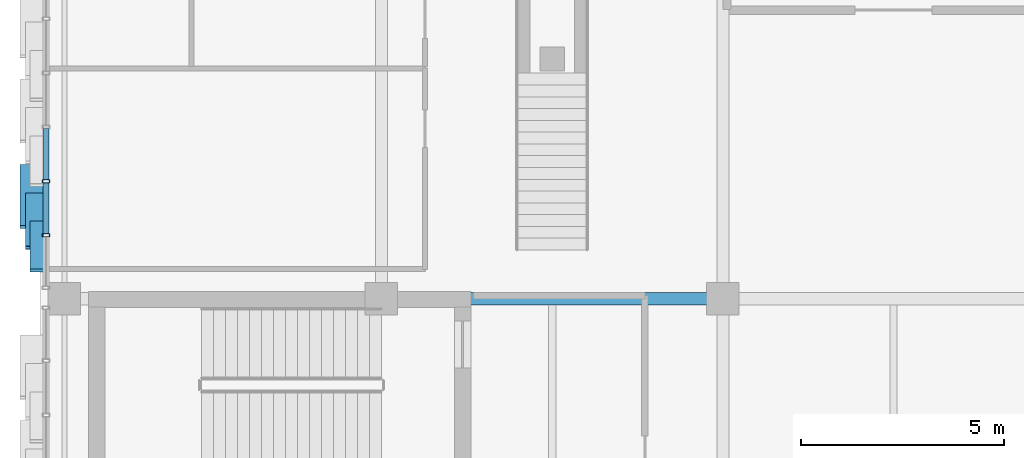
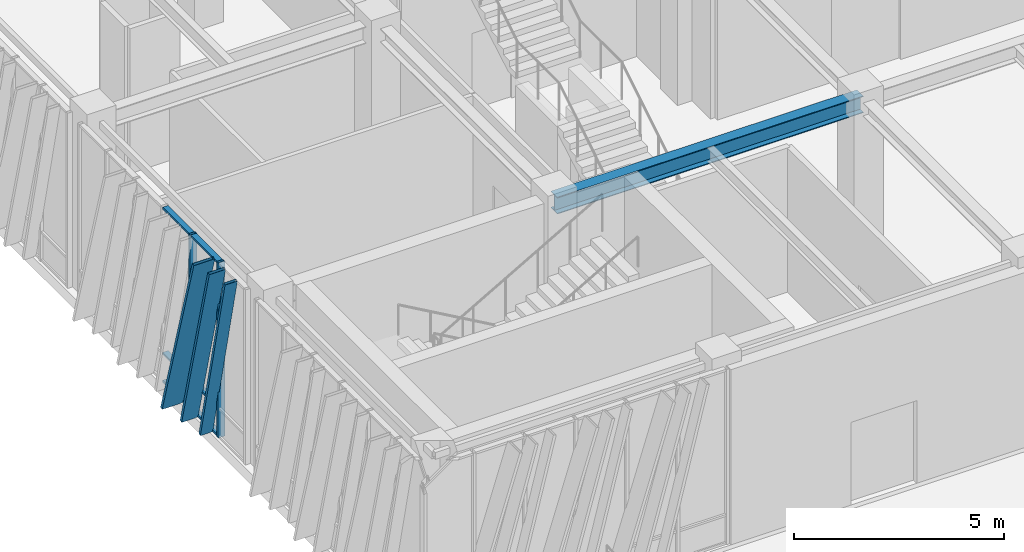
# One storey, part 32 of 122: 11 members, 1 beam, 1 element without a shape of its own.
"""IFC4 building model written with IfcOpenShell, lengths in metres."""

from ifc_helpers import new_model, si_unit, direction, frame, origin, origin_2d, place, context, subcontext, project, spatial, hollow_rectangle, i_section, extrude, material, layer, layer_set, material_profile, profile_set, type_object, element, aggregate, save


model = new_model("IFC4")

# Units and contexts
model_context = context("Model", 3, precision=1e-05, world=origin(), true_north=direction((0.0, 1.0)))
body_context = subcontext(model_context, "Body", "Model", "MODEL_VIEW")
ifc_project = project(units=[si_unit("LENGTHUNIT", "METRE"), si_unit("AREAUNIT", "SQUARE_METRE"), si_unit("VOLUMEUNIT", "CUBIC_METRE"), si_unit("PLANEANGLEUNIT", "RADIAN"), si_unit("MASSUNIT", "GRAM", prefix="KILO")], contexts=[model_context])

# Site, building, storey
site_placement = place(None, origin())
site = spatial("IfcSite", under=ifc_project, at=site_placement, CompositionType="ELEMENT")
building_placement = place(site_placement, origin())
building = spatial("IfcBuilding", under=site, at=building_placement, Name="Zayran Congress Hotel", CompositionType="ELEMENT")
storey_placement = place(building_placement, origin())
storey = spatial("IfcBuildingStorey", under=building, at=storey_placement, Name="L00", CompositionType="ELEMENT", Elevation=0.0)

# Beam
ifc_material_1 = material(Name="Steel S355", Category="steel")
ifc_material_profile_1 = material_profile(ifc_material_1, i_section(OverallWidth=0.300048828125, OverallDepth=0.489990234375, WebThickness=0.011962890625, FlangeThickness=0.02294921875, at=origin_2d()), Name="HEA 500")
ifc_profile_set_1 = profile_set([ifc_material_profile_1], Name="Steel S355")
beam_type = type_object("IfcBeamType", Name="TP-BM-05", PredefinedType="BEAM", material=ifc_profile_set_1)
beam_placement = place(storey_placement, frame((16.800048828125, 76.0, 4.8349609375), z_axis=(1.0, 0.0, 0.0), x_axis=(0.0, 1.0, 0.0)))
element("IfcBeam", 1, at=beam_placement, inside=storey, type_object=beam_type, Name="BM-V1-L00-0400", PredefinedType="BEAM", context=body_context, shape_type="SweptSolid", body=[
    extrude(i_section(OverallWidth=0.300048828125, OverallDepth=0.489990234375, WebThickness=0.011962890625, FlangeThickness=0.02294921875, at=origin_2d()), origin(), (0.0, 0.0, 1.0), 8.39990234375),
])

# Curtain wall, members
ifc_material_2 = material(Name="Anodised aluminium and low-E insulated glass", Category="aluminium")
ifc_layer = layer(ifc_material_2, 0.179931640625)
ifc_layer_set = layer_set([ifc_layer], Name="Anodised aluminium and low-E insulated glass")
curtain_wall_type = type_object("IfcCurtainWallType", Name="CW-V1W-L00-CW-32-7990-5080", PredefinedType="USERDEFINED", material=ifc_layer_set)
curtain_wall_placement = place(storey_placement, origin())
curtain_wall = element("IfcCurtainWall", 2, at=curtain_wall_placement, inside=storey, type_object=curtain_wall_type, Name="CW-V1W-L00-1", ObjectType="CURTAIN WALL", PredefinedType="USERDEFINED")
ifc_material_3 = material(Name="Anodised aluminium framing", Category="aluminium")
ifc_material_profile_2 = material_profile(ifc_material_3, hollow_rectangle(XDim=0.080078125, YDim=0.179931640625, WallThickness=0.0048828125, at=origin_2d()), Name="RHS 180x80x5")
ifc_profile_set_2 = profile_set([ifc_material_profile_2], Name="Anodised aluminium framing")
member_type_1 = type_object("IfcMemberType", Name="TP-CWM-01", PredefinedType="MULLION", material=ifc_profile_set_2)
member_1_placement = place(storey_placement, frame((8.550048828125, 78.893310546875, 0.0), z_axis=(0.0, 0.0, 1.0), x_axis=(0.0, 1.0, 0.0)))
member_1 = element("IfcMember", 3, at=member_1_placement, type_object=member_type_1, Name="CW-V1W-L00-1-M04", PredefinedType="MULLION", context=body_context, shape_type="SweptSolid", body=[
    extrude(hollow_rectangle(XDim=0.080078125, YDim=0.179931640625, WallThickness=0.0048828125, at=origin_2d()), origin(), (0.0, 0.0, 1.0), 5.080078125),
])
member_2_placement = place(storey_placement, frame((8.550048828125, 77.561767578125, 0.0), z_axis=(0.0, 0.0, 1.0), x_axis=(0.0, 1.0, 0.0)))
member_2 = element("IfcMember", 4, at=member_2_placement, type_object=member_type_1, Name="CW-V1W-L00-1-M05", PredefinedType="MULLION", context=body_context, shape_type="SweptSolid", body=[
    extrude(hollow_rectangle(XDim=0.080078125, YDim=0.179931640625, WallThickness=0.0048828125, at=origin_2d()), origin(), (0.0, 0.0, 1.0), 5.080078125),
])
ifc_material_profile_3 = material_profile(ifc_material_3, hollow_rectangle(XDim=0.06005859375, YDim=0.14990234375, WallThickness=0.00390625, at=origin_2d()), Name="RHS 150x60x4")
ifc_profile_set_3 = profile_set([ifc_material_profile_3], Name="Anodised aluminium framing")
member_type_2 = type_object("IfcMemberType", Name="TP-CWT-01", PredefinedType="USERDEFINED", material=ifc_profile_set_3)
member_3_placement = place(storey_placement, frame((8.550048828125, 80.18505859375, 0.030029296875), z_axis=(0.0, -1.0, 0.0), x_axis=(0.0, 0.0, 1.0)))
member_3 = element("IfcMember", 5, at=member_3_placement, type_object=member_type_2, Name="CW-V1W-L00-1-T03-0", ObjectType="TRANSOM", PredefinedType="USERDEFINED", context=body_context, shape_type="SweptSolid", body=[
    extrude(hollow_rectangle(XDim=0.06005859375, YDim=0.14990234375, WallThickness=0.00390625, at=origin_2d()), origin(), (0.0, 0.0, 1.0), 1.251708984375),
])
member_4_placement = place(storey_placement, frame((8.550048828125, 80.18505859375, 0.840087890625), z_axis=(0.0, -1.0, 0.0), x_axis=(0.0, 0.0, 1.0)))
member_4 = element("IfcMember", 6, at=member_4_placement, type_object=member_type_2, Name="CW-V1W-L00-1-T03-1", ObjectType="TRANSOM", PredefinedType="USERDEFINED", context=body_context, shape_type="SweptSolid", body=[
    extrude(hollow_rectangle(XDim=0.06005859375, YDim=0.14990234375, WallThickness=0.00390625, at=origin_2d()), origin(), (0.0, 0.0, 1.0), 1.251708984375),
])
member_5_placement = place(storey_placement, frame((8.550048828125, 80.18505859375, 5.050048828125), z_axis=(0.0, -1.0, 0.0), x_axis=(0.0, 0.0, 1.0)))
member_5 = element("IfcMember", 7, at=member_5_placement, type_object=member_type_2, Name="CW-V1W-L00-1-T03-2", ObjectType="TRANSOM", PredefinedType="USERDEFINED", context=body_context, shape_type="SweptSolid", body=[
    extrude(hollow_rectangle(XDim=0.06005859375, YDim=0.14990234375, WallThickness=0.00390625, at=origin_2d()), origin(), (0.0, 0.0, 1.0), 1.251708984375),
])
member_6_placement = place(storey_placement, frame((8.550048828125, 78.853271484375, 0.030029296875), z_axis=(0.0, -1.0, 0.0), x_axis=(0.0, 0.0, 1.0)))
member_6 = element("IfcMember", 8, at=member_6_placement, type_object=member_type_2, Name="CW-V1W-L00-1-T04-0", ObjectType="TRANSOM", PredefinedType="USERDEFINED", context=body_context, shape_type="SweptSolid", body=[
    extrude(hollow_rectangle(XDim=0.06005859375, YDim=0.14990234375, WallThickness=0.00390625, at=origin_2d()), origin(), (0.0, 0.0, 1.0), 1.25146484375),
])
member_7_placement = place(storey_placement, frame((8.550048828125, 78.853271484375, 0.840087890625), z_axis=(0.0, -1.0, 0.0), x_axis=(0.0, 0.0, 1.0)))
member_7 = element("IfcMember", 9, at=member_7_placement, type_object=member_type_2, Name="CW-V1W-L00-1-T04-1", ObjectType="TRANSOM", PredefinedType="USERDEFINED", context=body_context, shape_type="SweptSolid", body=[
    extrude(hollow_rectangle(XDim=0.06005859375, YDim=0.14990234375, WallThickness=0.00390625, at=origin_2d()), origin(), (0.0, 0.0, 1.0), 1.25146484375),
])
member_8_placement = place(storey_placement, frame((8.550048828125, 78.853271484375, 5.050048828125), z_axis=(0.0, -1.0, 0.0), x_axis=(0.0, 0.0, 1.0)))
member_8 = element("IfcMember", 10, at=member_8_placement, type_object=member_type_2, Name="CW-V1W-L00-1-T04-2", ObjectType="TRANSOM", PredefinedType="USERDEFINED", context=body_context, shape_type="SweptSolid", body=[
    extrude(hollow_rectangle(XDim=0.06005859375, YDim=0.14990234375, WallThickness=0.00390625, at=origin_2d()), origin(), (0.0, 0.0, 1.0), 1.25146484375),
])
ifc_material_4 = material(Name="Warm bronze anodised aluminium", Category="aluminium")
ifc_material_profile_4 = material_profile(ifc_material_4, hollow_rectangle(XDim=0.080078125, YDim=0.580078125, WallThickness=0.006103515625, at=origin_2d()), Name="RHS 580x80x6")
ifc_profile_set_4 = profile_set([ifc_material_profile_4], Name="Warm bronze anodised aluminium")
member_type_3 = type_object("IfcMemberType", Name="TP-RFN-01", PredefinedType="MULLION", material=ifc_profile_set_4)
member_9_placement = place(storey_placement, frame((8.199951171875, 79.27001953125, 0.0), z_axis=(0.0, -0.284031848834, 0.958814845968), x_axis=(0.0, 0.958814845968, 0.284031848834)))
member_9 = element("IfcMember", 11, at=member_9_placement, type_object=member_type_3, Name="Slanting Reed Mullion CW-32-07", PredefinedType="MULLION", context=body_context, shape_type="SweptSolid", body=[
    extrude(hollow_rectangle(XDim=0.080078125, YDim=0.580078125, WallThickness=0.006103515625, at=origin_2d()), origin(), (0.0, 0.0, 1.0), 5.29833984375),
])
ifc_material_profile_5 = material_profile(ifc_material_4, hollow_rectangle(XDim=0.080078125, YDim=0.449951171875, WallThickness=0.006103515625, at=origin_2d()), Name="RHS 450x80x6")
ifc_profile_set_5 = profile_set([ifc_material_profile_5], Name="Warm bronze anodised aluminium")
member_type_4 = type_object("IfcMemberType", Name="TP-RFN-02", PredefinedType="MULLION", material=ifc_profile_set_5)
member_10_placement = place(storey_placement, frame((8.264892578125, 78.570068359375, 0.0), z_axis=(0.0, -0.25040989041, 0.968139910749), x_axis=(0.0, 0.968139910749, 0.25040989041)))
member_10 = element("IfcMember", 12, at=member_10_placement, type_object=member_type_4, Name="Slanting Reed Mullion CW-32-08", PredefinedType="MULLION", context=body_context, shape_type="SweptSolid", body=[
    extrude(hollow_rectangle(XDim=0.080078125, YDim=0.449951171875, WallThickness=0.006103515625, at=origin_2d()), origin(), (0.0, 0.0, 1.0), 5.247314453125),
])
ifc_material_profile_6 = material_profile(ifc_material_4, hollow_rectangle(XDim=0.080078125, YDim=0.340087890625, WallThickness=0.006103515625, at=origin_2d()), Name="RHS 340x80x6")
ifc_profile_set_6 = profile_set([ifc_material_profile_6], Name="Warm bronze anodised aluminium")
member_type_5 = type_object("IfcMemberType", Name="TP-RFN-03", PredefinedType="MULLION", material=ifc_profile_set_6)
member_11_placement = place(storey_placement, frame((8.320068359375, 77.8701171875, 0.0), z_axis=(0.0, -0.224955263497, 0.974369093016), x_axis=(0.0, 0.974369093016, 0.224955263497)))
member_11 = element("IfcMember", 13, at=member_11_placement, type_object=member_type_5, Name="Slanting Reed Mullion CW-32-09", PredefinedType="MULLION", context=body_context, shape_type="SweptSolid", body=[
    extrude(hollow_rectangle(XDim=0.080078125, YDim=0.340087890625, WallThickness=0.006103515625, at=origin_2d()), origin(), (0.0, 0.0, 1.0), 5.213623046875),
])
aggregate(curtain_wall, [member_1, member_2, member_3, member_4, member_5, member_6, member_7, member_8, member_9, member_10, member_11])

save(model, "model.ifc")
